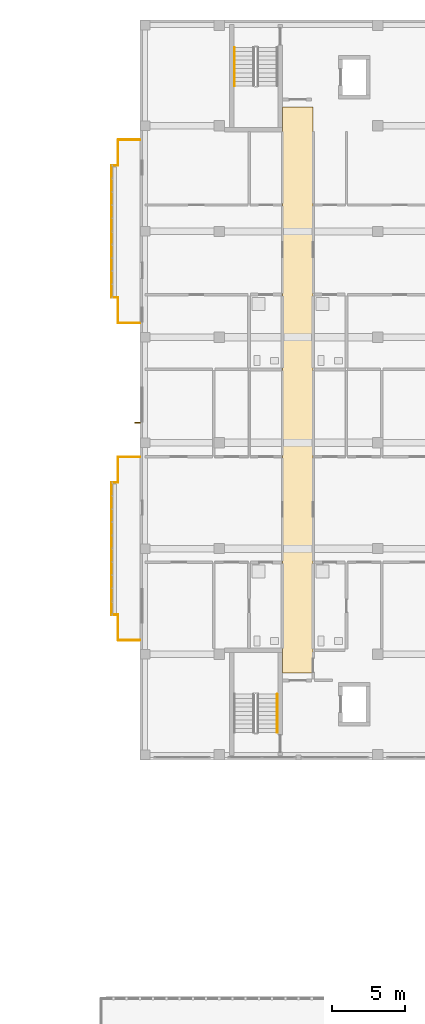
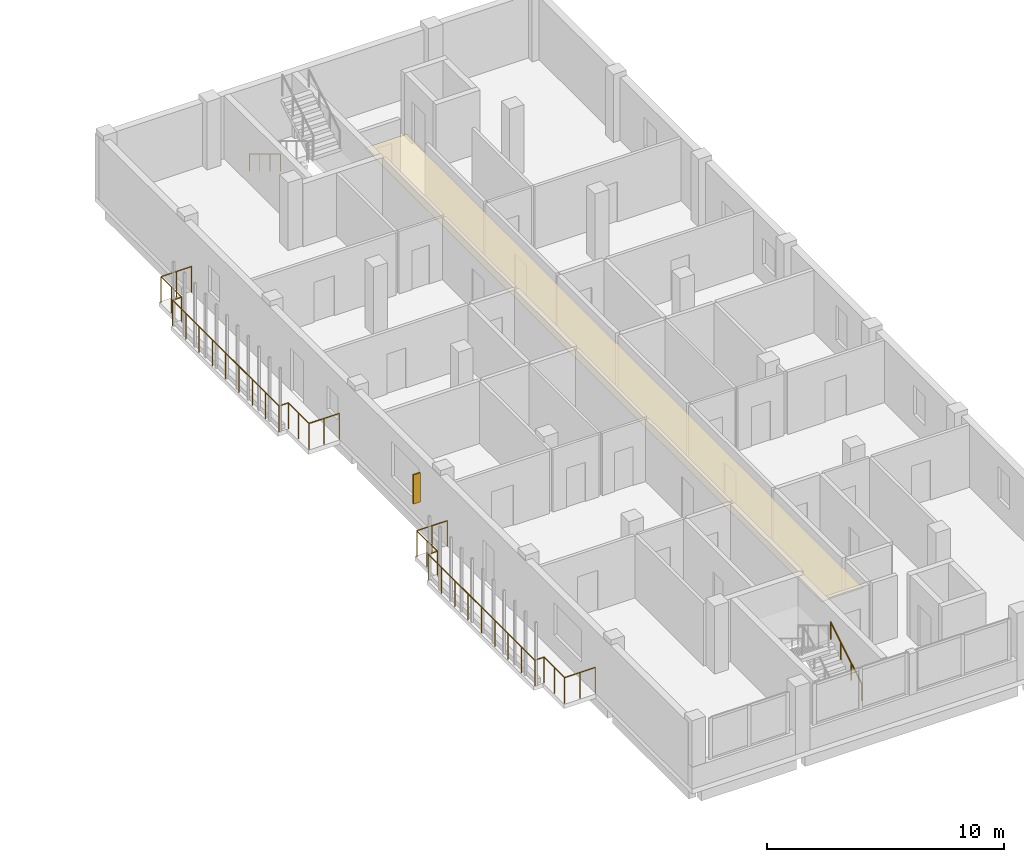
# One storey, part 70 of 73: 4 railings, 1 covering, 1 shading device.
"""IFC4 building model written with IfcOpenShell, lengths in metres."""

from ifc_helpers import new_model, si_unit, derived_unit, direction, frame, origin, origin_2d, place, context, subcontext, project, spatial, polyline, rectangle, circle, outline, extrude, material, layer, layer_set, type_object, element, save


model = new_model("IFC4")

# Units and contexts
model_context = context("Model", 3, precision=1e-05, world=origin(), true_north=direction((0.0, 1.0)))
body_context = subcontext(model_context, "Body", "Model", "MODEL_VIEW")
ifc_project = project(units=[si_unit("LENGTHUNIT", "METRE"), si_unit("AREAUNIT", "SQUARE_METRE"), si_unit("VOLUMEUNIT", "CUBIC_METRE"), si_unit("PLANEANGLEUNIT", "RADIAN"), si_unit("MASSUNIT", "GRAM", prefix="KILO"), derived_unit("THERMALTRANSMITTANCEUNIT", [(si_unit("MASSUNIT", "GRAM", prefix="KILO"), 1), (si_unit("TIMEUNIT", "SECOND"), -3), (si_unit("THERMODYNAMICTEMPERATUREUNIT", "KELVIN"), -1)])], contexts=[model_context])

# Site, building, storey
site_placement = place(None, origin())
site = spatial("IfcSite", under=ifc_project, at=site_placement, CompositionType="ELEMENT")
building_placement = place(site_placement, origin())
building = spatial("IfcBuilding", under=site, at=building_placement, Name="Ochrekiln Boulevard Commons", CompositionType="ELEMENT")
storey_placement = place(building_placement, frame((0.0, 0.0, 8.574951171875)))
storey = spatial("IfcBuildingStorey", under=building, at=storey_placement, Name="L02", CompositionType="ELEMENT", Elevation=8.574951171875)

# Covering
ifc_material_1 = material(Name="Mineral-fibre acoustic ceiling tile")
ifc_layer = layer(ifc_material_1, 0.02490234375)
ifc_layer_set = layer_set([ifc_layer], Name="Mineral-fibre acoustic ceiling tile")
covering_type = type_object("IfcCoveringType", Name="COV-CEIL-AC", PredefinedType="CEILING", material=ifc_layer_set)
covering_placement = place(storey_placement, frame((0.0, 0.0, 2.650146484375)))
element("IfcCovering", 1, at=covering_placement, inside=storey, type_object=covering_type, Name="L02 Acoustic Corridor Ceiling 32", PredefinedType="CEILING", context=body_context, shape_type="SweptSolid", body=[
    extrude(outline(polyline([(160.919921875, 74.320068359375), (162.97998046875, 74.320068359375), (162.97998046875, 112.8798828125), (160.919921875, 112.8798828125), (160.919921875, 74.320068359375)])), origin(), (0.0, 0.0, 1.0), 0.02490234375),
])

# Railings
ifc_material_2 = material(Name="Bronze-anodized extruded aluminium 6063-T6", Category="aluminium")
railing_type_1 = type_object("IfcRailingType", Name="RLG-BAL-1350", PredefinedType="BALUSTRADE", material=ifc_material_2)
railing_1_placement = place(storey_placement, frame((151.199951171875, 76.56005859375, 0.0)))
element("IfcRailing", 2, at=railing_1_placement, inside=storey, type_object=railing_type_1, Name="Block B L02 Balcony Guard Balustrade 1", PredefinedType="BALUSTRADE", context=body_context, shape_type="SweptSolid", body=[
    extrude(circle(Radius=0.02392578125, at=origin_2d()), frame((0.0, 0.0, 1.326171875), z_axis=(-1.0, 0.0, 0.0), x_axis=(0.0, -1.0, 0.0)), (0.0, 0.0, 1.0), 1.489990234375),
    extrude(circle(Radius=0.02392578125, at=origin_2d()), frame((-1.489990234375, 0.0, 1.326171875), z_axis=(0.0, 1.0, 0.0), x_axis=(-1.0, 0.0, 0.0)), (0.0, 0.0, 1.0), 1.739990234375),
    extrude(circle(Radius=0.02392578125, at=origin_2d()), frame((-1.489990234375, 1.739990234375, 1.326171875), z_axis=(-1.0, 0.0, 0.0), x_axis=(0.0, -1.0, 0.0)), (0.0, 0.0, 1.0), 0.449951171875),
    extrude(circle(Radius=0.02392578125, at=origin_2d()), frame((-1.93994140625, 1.739990234375, 1.326171875), z_axis=(0.0, 1.0, 0.0), x_axis=(-1.0, 0.0, 0.0)), (0.0, 0.0, 1.0), 9.0),
    extrude(circle(Radius=0.02392578125, at=origin_2d()), frame((-1.93994140625, 10.739990234375, 1.326171875), z_axis=(1.0, 0.0, 0.0), x_axis=(0.0, 1.0, 0.0)), (0.0, 0.0, 1.0), 0.449951171875),
    extrude(circle(Radius=0.02392578125, at=origin_2d()), frame((-1.489990234375, 10.739990234375, 1.326171875), z_axis=(0.0, 1.0, 0.0), x_axis=(-1.0, 0.0, 0.0)), (0.0, 0.0, 1.0), 1.739990234375),
    extrude(circle(Radius=0.02392578125, at=origin_2d()), frame((-1.489990234375, 12.47998046875, 1.326171875), z_axis=(1.0, 0.0, 0.0), x_axis=(0.0, 1.0, 0.0)), (0.0, 0.0, 1.0), 1.489990234375),
    extrude(circle(Radius=0.02099609375, at=origin_2d()), origin(), (0.0, 0.0, 1.0), 1.302001953125),
    extrude(circle(Radius=0.02099609375, at=origin_2d()), frame((-0.7451171875, 0.0, 0.0)), (0.0, 0.0, 1.0), 1.302001953125),
    extrude(circle(Radius=0.02099609375, at=origin_2d()), frame((-1.489990234375, 0.0, 0.0)), (0.0, 0.0, 1.0), 1.302001953125),
    extrude(circle(Radius=0.02099609375, at=origin_2d()), frame((-1.489990234375, 0.8701171875, 0.0)), (0.0, 0.0, 1.0), 1.302001953125),
    extrude(circle(Radius=0.02099609375, at=origin_2d()), frame((-1.489990234375, 1.739990234375, 0.0)), (0.0, 0.0, 1.0), 1.302001953125),
    extrude(circle(Radius=0.02099609375, at=origin_2d()), frame((-1.93994140625, 1.739990234375, 0.0)), (0.0, 0.0, 1.0), 1.302001953125),
    extrude(circle(Radius=0.02099609375, at=origin_2d()), frame((-1.93994140625, 2.864990234375, 0.0)), (0.0, 0.0, 1.0), 1.302001953125),
    extrude(circle(Radius=0.02099609375, at=origin_2d()), frame((-1.93994140625, 3.989990234375, 0.0)), (0.0, 0.0, 1.0), 1.302001953125),
    extrude(circle(Radius=0.02099609375, at=origin_2d()), frame((-1.93994140625, 5.114990234375, 0.0)), (0.0, 0.0, 1.0), 1.302001953125),
    extrude(circle(Radius=0.02099609375, at=origin_2d()), frame((-1.93994140625, 6.239990234375, 0.0)), (0.0, 0.0, 1.0), 1.302001953125),
    extrude(circle(Radius=0.02099609375, at=origin_2d()), frame((-1.93994140625, 7.364990234375, 0.0)), (0.0, 0.0, 1.0), 1.302001953125),
    extrude(circle(Radius=0.02099609375, at=origin_2d()), frame((-1.93994140625, 8.489990234375, 0.0)), (0.0, 0.0, 1.0), 1.302001953125),
    extrude(circle(Radius=0.02099609375, at=origin_2d()), frame((-1.93994140625, 9.614990234375, 0.0)), (0.0, 0.0, 1.0), 1.302001953125),
    extrude(circle(Radius=0.02099609375, at=origin_2d()), frame((-1.93994140625, 10.739990234375, 0.0)), (0.0, 0.0, 1.0), 1.302001953125),
    extrude(circle(Radius=0.02099609375, at=origin_2d()), frame((-1.489990234375, 10.739990234375, 0.0)), (0.0, 0.0, 1.0), 1.302001953125),
    extrude(circle(Radius=0.02099609375, at=origin_2d()), frame((-1.489990234375, 11.60986328125, 0.0)), (0.0, 0.0, 1.0), 1.302001953125),
    extrude(circle(Radius=0.02099609375, at=origin_2d()), frame((-1.489990234375, 12.47998046875, 0.0)), (0.0, 0.0, 1.0), 1.302001953125),
    extrude(circle(Radius=0.02099609375, at=origin_2d()), frame((-0.7451171875, 12.47998046875, 0.0)), (0.0, 0.0, 1.0), 1.302001953125),
    extrude(circle(Radius=0.02099609375, at=origin_2d()), frame((0.0, 12.47998046875, 0.0)), (0.0, 0.0, 1.0), 1.302001953125),
])
railing_2_placement = place(storey_placement, frame((151.199951171875, 98.159912109375, 0.0)))
element("IfcRailing", 3, at=railing_2_placement, inside=storey, type_object=railing_type_1, Name="Block B L02 Balcony Guard Balustrade 2", PredefinedType="BALUSTRADE", context=body_context, shape_type="SweptSolid", body=[
    extrude(circle(Radius=0.02392578125, at=origin_2d()), frame((0.0, 0.0, 1.326171875), z_axis=(-1.0, 0.0, 0.0), x_axis=(0.0, -1.0, 0.0)), (0.0, 0.0, 1.0), 1.489990234375),
    extrude(circle(Radius=0.02392578125, at=origin_2d()), frame((-1.489990234375, 0.0, 1.326171875), z_axis=(0.0, 1.0, 0.0), x_axis=(-1.0, 0.0, 0.0)), (0.0, 0.0, 1.0), 1.739990234375),
    extrude(circle(Radius=0.02392578125, at=origin_2d()), frame((-1.489990234375, 1.739990234375, 1.326171875), z_axis=(-1.0, 0.0, 0.0), x_axis=(0.0, -1.0, 0.0)), (0.0, 0.0, 1.0), 0.449951171875),
    extrude(circle(Radius=0.02392578125, at=origin_2d()), frame((-1.93994140625, 1.739990234375, 1.326171875), z_axis=(0.0, 1.0, 0.0), x_axis=(-1.0, 0.0, 0.0)), (0.0, 0.0, 1.0), 9.0),
    extrude(circle(Radius=0.02392578125, at=origin_2d()), frame((-1.93994140625, 10.739990234375, 1.326171875), z_axis=(1.0, 0.0, 0.0), x_axis=(0.0, 1.0, 0.0)), (0.0, 0.0, 1.0), 0.449951171875),
    extrude(circle(Radius=0.02392578125, at=origin_2d()), frame((-1.489990234375, 10.739990234375, 1.326171875), z_axis=(0.0, 1.0, 0.0), x_axis=(-1.0, 0.0, 0.0)), (0.0, 0.0, 1.0), 1.739990234375),
    extrude(circle(Radius=0.02392578125, at=origin_2d()), frame((-1.489990234375, 12.47998046875, 1.326171875), z_axis=(1.0, 0.0, 0.0), x_axis=(0.0, 1.0, 0.0)), (0.0, 0.0, 1.0), 1.489990234375),
    extrude(circle(Radius=0.02099609375, at=origin_2d()), origin(), (0.0, 0.0, 1.0), 1.302001953125),
    extrude(circle(Radius=0.02099609375, at=origin_2d()), frame((-0.7451171875, 0.0, 0.0)), (0.0, 0.0, 1.0), 1.302001953125),
    extrude(circle(Radius=0.02099609375, at=origin_2d()), frame((-1.489990234375, 0.0, 0.0)), (0.0, 0.0, 1.0), 1.302001953125),
    extrude(circle(Radius=0.02099609375, at=origin_2d()), frame((-1.489990234375, 0.8701171875, 0.0)), (0.0, 0.0, 1.0), 1.302001953125),
    extrude(circle(Radius=0.02099609375, at=origin_2d()), frame((-1.489990234375, 1.739990234375, 0.0)), (0.0, 0.0, 1.0), 1.302001953125),
    extrude(circle(Radius=0.02099609375, at=origin_2d()), frame((-1.93994140625, 1.739990234375, 0.0)), (0.0, 0.0, 1.0), 1.302001953125),
    extrude(circle(Radius=0.02099609375, at=origin_2d()), frame((-1.93994140625, 2.864990234375, 0.0)), (0.0, 0.0, 1.0), 1.302001953125),
    extrude(circle(Radius=0.02099609375, at=origin_2d()), frame((-1.93994140625, 3.989990234375, 0.0)), (0.0, 0.0, 1.0), 1.302001953125),
    extrude(circle(Radius=0.02099609375, at=origin_2d()), frame((-1.93994140625, 5.114990234375, 0.0)), (0.0, 0.0, 1.0), 1.302001953125),
    extrude(circle(Radius=0.02099609375, at=origin_2d()), frame((-1.93994140625, 6.239990234375, 0.0)), (0.0, 0.0, 1.0), 1.302001953125),
    extrude(circle(Radius=0.02099609375, at=origin_2d()), frame((-1.93994140625, 7.364990234375, 0.0)), (0.0, 0.0, 1.0), 1.302001953125),
    extrude(circle(Radius=0.02099609375, at=origin_2d()), frame((-1.93994140625, 8.489990234375, 0.0)), (0.0, 0.0, 1.0), 1.302001953125),
    extrude(circle(Radius=0.02099609375, at=origin_2d()), frame((-1.93994140625, 9.614990234375, 0.0)), (0.0, 0.0, 1.0), 1.302001953125),
    extrude(circle(Radius=0.02099609375, at=origin_2d()), frame((-1.93994140625, 10.739990234375, 0.0)), (0.0, 0.0, 1.0), 1.302001953125),
    extrude(circle(Radius=0.02099609375, at=origin_2d()), frame((-1.489990234375, 10.739990234375, 0.0)), (0.0, 0.0, 1.0), 1.302001953125),
    extrude(circle(Radius=0.02099609375, at=origin_2d()), frame((-1.489990234375, 11.60986328125, 0.0)), (0.0, 0.0, 1.0), 1.302001953125),
    extrude(circle(Radius=0.02099609375, at=origin_2d()), frame((-1.489990234375, 12.47998046875, 0.0)), (0.0, 0.0, 1.0), 1.302001953125),
    extrude(circle(Radius=0.02099609375, at=origin_2d()), frame((-0.7451171875, 12.47998046875, 0.0)), (0.0, 0.0, 1.0), 1.302001953125),
    extrude(circle(Radius=0.02099609375, at=origin_2d()), frame((0.0, 12.47998046875, 0.0)), (0.0, 0.0, 1.0), 1.302001953125),
])
ifc_material_3 = material(Name="Brushed stainless steel 316 tubular railing", Category="steel")
railing_type_2 = type_object("IfcRailingType", Name="RLG-HDR-900", PredefinedType="HANDRAIL", material=ifc_material_3)
railing_3_placement = place(storey_placement, frame((160.550048828125, 70.27001953125, 0.175048828125)))
element("IfcRailing", 4, at=railing_3_placement, inside=storey, type_object=railing_type_2, Name="L02 ST-B1 stair handrail 1", PredefinedType="HANDRAIL", context=body_context, shape_type="SweptSolid", body=[
    extrude(circle(Radius=0.02392578125, at=origin_2d()), frame((0.0, 0.0, 0.8759765625), z_axis=(0.0, 0.85618277418, 0.516673066065), x_axis=(-1.0, 0.0, 0.0)), (0.0, 0.0, 1.0), 3.04833984375),
    extrude(circle(Radius=0.02099609375, at=origin_2d()), origin(), (0.0, 0.0, 1.0), 0.851806640625),
    extrude(circle(Radius=0.02099609375, at=origin_2d()), frame((0.0, 0.869873046875, 0.52490234375)), (0.0, 0.0, 1.0), 0.851806640625),
    extrude(circle(Radius=0.02099609375, at=origin_2d()), frame((0.0, 1.739990234375, 1.050048828125)), (0.0, 0.0, 1.0), 0.851806640625),
    extrude(circle(Radius=0.02099609375, at=origin_2d()), frame((0.0, 2.60986328125, 1.574951171875)), (0.0, 0.0, 1.0), 0.851806640625),
])
railing_4_placement = place(storey_placement, frame((157.64990234375, 116.929931640625, 0.175048828125)))
element("IfcRailing", 5, at=railing_4_placement, inside=storey, type_object=railing_type_2, Name="L02 ST-B2 stair handrail 1", PredefinedType="HANDRAIL", context=body_context, shape_type="SweptSolid", body=[
    extrude(circle(Radius=0.02392578125, at=origin_2d()), frame((0.0, 0.0, 0.8759765625), z_axis=(0.0, -0.85618277418, 0.516673066065), x_axis=(1.0, 0.0, 0.0)), (0.0, 0.0, 1.0), 3.04833984375),
    extrude(circle(Radius=0.02099609375, at=origin_2d()), origin(), (0.0, 0.0, 1.0), 0.851806640625),
    extrude(circle(Radius=0.02099609375, at=origin_2d()), frame((0.0, -0.869873046875, 0.52490234375)), (0.0, 0.0, 1.0), 0.851806640625),
    extrude(circle(Radius=0.02099609375, at=origin_2d()), frame((0.0, -1.739990234375, 1.050048828125)), (0.0, 0.0, 1.0), 0.851806640625),
    extrude(circle(Radius=0.02099609375, at=origin_2d()), frame((0.0, -2.60986328125, 1.574951171875)), (0.0, 0.0, 1.0), 0.851806640625),
])

# Shading device
ifc_material_4 = material(Name="Glazed architectural terracotta ASTM C1405", Category="masonry")
shading_device_type = type_object("IfcShadingDeviceType", Name="SHD-FIN-TERRA", PredefinedType="JALOUSIE", material=ifc_material_4)
shading_device_placement = place(storey_placement, frame((151.030029296875, 91.364013671875, 0.905029296875), z_axis=(0.0, 0.0, 1.0), x_axis=(1.0, 0.0, 0.0)))
element("IfcShadingDevice", 6, at=shading_device_placement, inside=storey, type_object=shading_device_type, Name="Terracotta Solar Shading Fin SF-01 (30)", PredefinedType="JALOUSIE", context=body_context, shape_type="SweptSolid", body=[
    extrude(rectangle(XDim=0.35009765625, YDim=0.080078125, at=origin_2d()), origin(), (0.0, 0.0, 1.0), 1.5),
])

save(model, "model.ifc")
